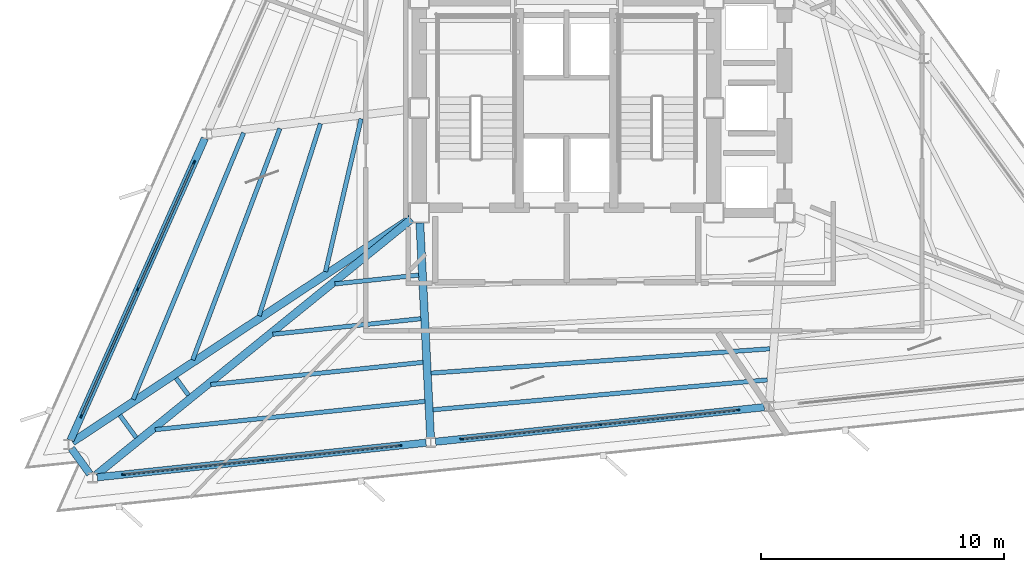
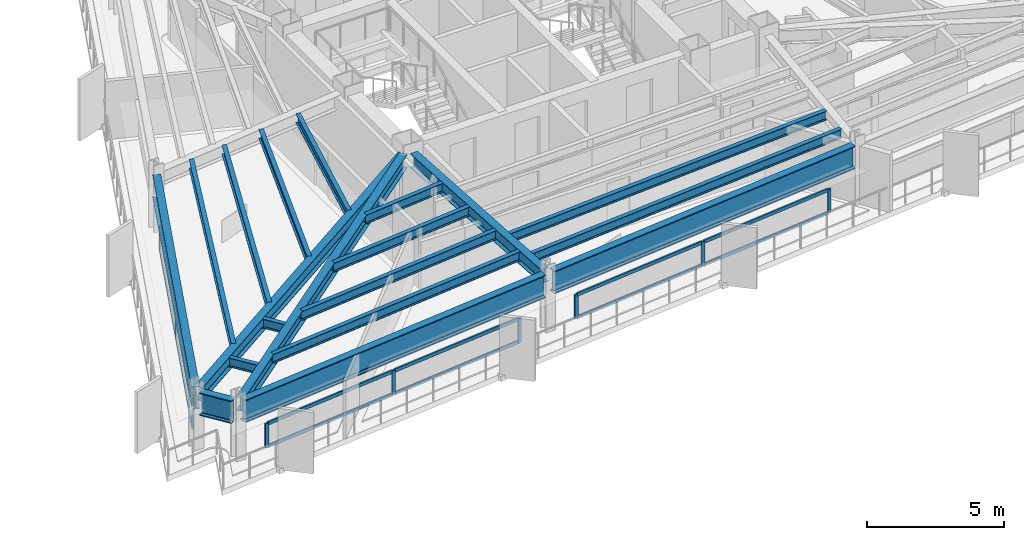
# One storey, part 2 of 13: 21 members, 19 beams, 3 elements without a shape of their own.
"""IFC4 building model written with IfcOpenShell, lengths in metres."""

import ifcopenshell
import ifcopenshell.guid

model = None  # the IFC model being written
_history = None  # IfcOwnerHistory: only IFC2X3 demands one
_inside = {}  # id of a spatial element -> (the spatial element, [elements in it])
_under = {}  # id of a project, library or spatial element -> (it, [spatial elements below it])
_declared = {}  # id of a project -> (the project, [libraries it declares])
_typed = {}  # id of a type object -> (the type object, [elements of that type])
_made_of = {}  # id of a material, layer set ... -> (it, [elements and type objects made of it])


def new_model(schema):
    """Start an empty IFC model of exactly this schema.

    Asked for "IFC4X3", IfcOpenShell would pick the latest addendum, in which some entities
    have other attributes; the version numbers below select the first issue.
    IFC2X3 requires an IfcOwnerHistory on every rooted entity: one is made here for all.
    """
    global model, _history
    if schema == "IFC4X3":
        model = ifcopenshell.file(schema_version=(4, 3, 0, 0))
    else:
        model = ifcopenshell.file(schema=schema)
    _inside.clear()
    _under.clear()
    _declared.clear()
    _typed.clear()
    _made_of.clear()
    _history = None
    if model.schema == "IFC2X3":
        org = make("IfcOrganization", Name="unknown")
        user = make(
            "IfcPersonAndOrganization",
            ThePerson=make("IfcPerson", FamilyName="unknown"),
            TheOrganization=org,
        )
        app = make(
            "IfcApplication",
            ApplicationDeveloper=org,
            Version="unknown",
            ApplicationFullName="unknown",
            ApplicationIdentifier="unknown",
        )
        _history = make(
            "IfcOwnerHistory",
            OwningUser=user,
            OwningApplication=app,
            ChangeAction="ADDED",
            CreationDate=0,
        )
    return model


def make(cls, **values):
    """One entity of the class cls with the attributes given. An attribute that is None is left unset."""
    return model.create_entity(
        cls, **{name: value for name, value in values.items() if value is not None}
    )


def rooted(cls, **values):
    """An entity with a GlobalId (a new one), such as an element, a storey or a relation."""
    return make(cls, GlobalId=ifcopenshell.guid.new(), OwnerHistory=_history, **values)


def si_unit(unit_type, name, prefix=None):
    """IfcSIUnit, for example si_unit("LENGTHUNIT", "METRE", prefix="MILLI")."""
    return make("IfcSIUnit", UnitType=unit_type, Prefix=prefix, Name=name)


def assignment(units):
    """IfcUnitAssignment: the units of a project."""
    return None if units is None else make("IfcUnitAssignment", Units=units)


def point(xyz):
    """IfcCartesianPoint."""
    return None if xyz is None else make("IfcCartesianPoint", Coordinates=xyz)


def direction(xyz):
    """IfcDirection."""
    return None if xyz is None else make("IfcDirection", DirectionRatios=xyz)


def frame(location, z_axis=None, x_axis=None):
    """IfcAxis2Placement3D, a coordinate frame: its origin and axes. An axis left out is left unset."""
    return make(
        "IfcAxis2Placement3D",
        Location=point(location),
        Axis=direction(z_axis),
        RefDirection=direction(x_axis),
    )


def frame_2d(location, x_axis=None):
    """IfcAxis2Placement2D, a coordinate frame in the plane: its origin and x axis."""
    return make(
        "IfcAxis2Placement2D", Location=point(location), RefDirection=direction(x_axis)
    )


def origin():
    """The frame at (0, 0, 0) with its axes left unset."""
    return frame((0.0, 0.0, 0.0))


def origin_2d():
    """The frame at (0, 0) in the plane with its x axis left unset."""
    return frame_2d((0.0, 0.0))


def place(relative_to, where):
    """IfcLocalPlacement: puts the frame where relative to a parent placement (None: the world)."""
    return make(
        "IfcLocalPlacement", PlacementRelTo=relative_to, RelativePlacement=where
    )


def context(
    kind, dimensions, precision=None, world=None, true_north=None, identifier=None
):
    """IfcGeometricRepresentationContext, for example the 3D "Model" context."""
    return make(
        "IfcGeometricRepresentationContext",
        ContextIdentifier=identifier,
        ContextType=kind,
        CoordinateSpaceDimension=dimensions,
        Precision=precision,
        WorldCoordinateSystem=world,
        TrueNorth=true_north,
    )


def subcontext(parent, identifier, kind, view, scale=None):
    """IfcGeometricRepresentationSubContext, for example "Body" below "Model"."""
    return make(
        "IfcGeometricRepresentationSubContext",
        ContextIdentifier=identifier,
        ContextType=kind,
        ParentContext=parent,
        TargetScale=scale,
        TargetView=view,
    )


def project(units=None, contexts=None):
    """IfcProject with its units and contexts."""
    return rooted(
        "IfcProject",
        Name="project",
        RepresentationContexts=contexts,
        UnitsInContext=assignment(units),
    )


def spatial(cls, under=None, at=None, **own):
    """A site, building, storey or space (cls), placed at a placement, below another one or the project."""
    s = rooted(cls, ObjectPlacement=at, **own)
    if under is not None:
        _under.setdefault(under.id(), (under, []))[1].append(s)
    return s


def profile(cls, at=None, kind="AREA", **sizes):
    """A parametric profile (cls). Its sizes go by their IFC names, for example OverallWidth=200.0."""
    return make(cls, ProfileType=kind, Position=at, **sizes)


def rectangle(**sizes):
    """IfcRectangleProfileDef."""
    return profile("IfcRectangleProfileDef", **sizes)


def i_section(**sizes):
    """IfcIShapeProfileDef."""
    return profile("IfcIShapeProfileDef", **sizes)


def extrude(swept, where, along, depth):
    """IfcExtrudedAreaSolid: the profile swept, set in the frame where, extruded along a direction by depth."""
    return make(
        "IfcExtrudedAreaSolid",
        SweptArea=swept,
        Position=where,
        ExtrudedDirection=direction(along),
        Depth=depth,
    )


def shape(context_of_items, identifier, shape_type, items):
    """IfcShapeRepresentation: the items that make up one representation, for example the "Body"."""
    return make(
        "IfcShapeRepresentation",
        ContextOfItems=context_of_items,
        RepresentationIdentifier=identifier,
        RepresentationType=shape_type,
        Items=items,
    )


def material(Name=None, Category=None):
    """IfcMaterial."""
    return make("IfcMaterial", Name=Name, Category=Category)


def layer(
    of_material, thickness, ventilated=None, Name=None, Category=None, Priority=None
):
    """IfcMaterialLayer: one layer of a wall or slab, of a material (None: an air gap)."""
    return make(
        "IfcMaterialLayer",
        Material=of_material,
        LayerThickness=thickness,
        IsVentilated=ventilated,
        Name=Name,
        Category=Category,
        Priority=Priority,
    )


def layer_set(layers, Name=None):
    """IfcMaterialLayerSet."""
    return make("IfcMaterialLayerSet", MaterialLayers=layers, LayerSetName=Name)


def material_profile(
    of_material, cross_section, Name=None, Category=None, Priority=None
):
    """IfcMaterialProfile: a cross section and its material."""
    return make(
        "IfcMaterialProfile",
        Name=Name,
        Material=of_material,
        Profile=cross_section,
        Priority=Priority,
        Category=Category,
    )


def profile_set(profiles, Name=None, composite=None):
    """IfcMaterialProfileSet."""
    return make(
        "IfcMaterialProfileSet",
        Name=Name,
        MaterialProfiles=profiles,
        CompositeProfile=composite,
    )


def made_of(thing, what):
    """Note that an element or type object is made of a material, layer set ...; save() writes the relation."""
    if what is not None:
        _made_of.setdefault(what.id(), (what, []))[1].append(thing)
    return thing


def type_object(cls, material=None, **own):
    """A type object (cls), such as IfcWallType, which elements share."""
    return made_of(rooted(cls, **own), material)


def element(
    cls,
    number,
    at=None,
    inside=None,
    cuts=None,
    type_object=None,
    material=None,
    context=None,
    identifier="Body",
    shape_type=None,
    held_by="IfcProductDefinitionShape",
    body=None,
    shapes=None,
    **own,
):
    """One element of the class cls, such as IfcWall. Its Tag is "e" and its number.

    at: its placement. inside: the storey or other place that contains it. cuts: it is an
    opening in that element (IfcRelVoidsElement). A single representation is given by context,
    identifier, shape_type and body (its items); several are given by shapes. held_by: the class
    of the entity that holds the representations. save() writes the other relations.
    """
    e = rooted(cls, Tag="e%d" % number, ObjectPlacement=at, **own)
    if body is not None:
        shapes = [shape(context, identifier, shape_type, body)]
    if shapes is not None:
        e.Representation = make(held_by, Representations=shapes)
    if inside is not None:
        _inside.setdefault(inside.id(), (inside, []))[1].append(e)
    if cuts is not None:
        rooted(
            "IfcRelVoidsElement", RelatingBuildingElement=cuts, RelatedOpeningElement=e
        )
    if type_object is not None:
        _typed.setdefault(type_object.id(), (type_object, []))[1].append(e)
    return made_of(e, material)


def aggregate(whole, parts):
    """IfcRelAggregates: a whole, such as a stair, and the parts it consists of."""
    return rooted("IfcRelAggregates", RelatingObject=whole, RelatedObjects=parts)


def save(model, path):
    """Write the relations noted so far, then the file.

    IfcRelAggregates (storeys below a building ...), IfcRelContainedInSpatialStructure (elements
    in a storey), IfcRelDefinesByType, IfcRelAssociatesMaterial and IfcRelDeclares: one each for
    every whole, place, type object, material and project.
    """
    for whole, parts in _under.values():
        aggregate(whole, parts)
    for where, things in _inside.values():
        rooted(
            "IfcRelContainedInSpatialStructure",
            RelatedElements=things,
            RelatingStructure=where,
        )
    for kind, things in _typed.values():
        rooted("IfcRelDefinesByType", RelatedObjects=things, RelatingType=kind)
    for what, things in _made_of.values():
        rooted("IfcRelAssociatesMaterial", RelatedObjects=things, RelatingMaterial=what)
    for by, libraries in _declared.values():
        rooted("IfcRelDeclares", RelatingContext=by, RelatedDefinitions=libraries)
    model.write(path)


model = new_model("IFC4")

# Units and contexts
model_context = context("Model", 3, precision=1e-05, world=origin(), true_north=direction((0.0, 1.0)))
body_context = subcontext(model_context, "Body", "Model", "MODEL_VIEW")
ifc_project = project(units=[si_unit("LENGTHUNIT", "METRE"), si_unit("AREAUNIT", "SQUARE_METRE"), si_unit("VOLUMEUNIT", "CUBIC_METRE"), si_unit("PLANEANGLEUNIT", "RADIAN"), si_unit("MASSUNIT", "GRAM", prefix="KILO")], contexts=[model_context])

# Site, building, storey
site_placement = place(None, origin())
site = spatial("IfcSite", under=ifc_project, at=site_placement, CompositionType="ELEMENT")
building_placement = place(site_placement, origin())
building = spatial("IfcBuilding", under=site, at=building_placement, Name="Rocaltana Carrier Exchange", CompositionType="ELEMENT")
storey_placement = place(building_placement, frame((0.0, 0.0, 122.8798828125)))
storey = spatial("IfcBuildingStorey", under=building, at=storey_placement, Name="L38", CompositionType="ELEMENT", Elevation=122.8798828125)

# Curtain wall, members
ifc_material_1 = material(Name="Aluminium 6063-T6", Category="aluminium")
ifc_layer = layer(ifc_material_1, 0.14990234375)
ifc_layer_set = layer_set([ifc_layer], Name="Aluminium 6063-T6")
curtain_wall_type = type_object("IfcCurtainWallType", Name="Mid-Tower Unitised Curtain Wall CW-03", PredefinedType="NOTDEFINED", material=ifc_layer_set)
curtain_wall_1_placement = place(storey_placement, origin())
curtain_wall_1 = element("IfcCurtainWall", 1, at=curtain_wall_1_placement, inside=storey, type_object=curtain_wall_type, Name="L38 CW-03 Run CW-L38-F2S3", PredefinedType="NOTDEFINED")
ifc_material_2 = material(Name="Aluminium 6063-T6", Category="aluminium")
ifc_material_profile_1 = material_profile(ifc_material_2, rectangle(XDim=0.06005859375, YDim=0.14990234375, at=origin_2d()), Name="AL-60X150")
ifc_profile_set_1 = profile_set([ifc_material_profile_1], Name="Aluminium 6063-T6")
member_type_1 = type_object("IfcMemberType", Name="CW-03 Mullion AL-60X150", PredefinedType="MULLION", material=ifc_profile_set_1)
member_1_placement = place(storey_placement, frame((-15.299560546875, -2.2333984375, 0.0), z_axis=(0.0, 0.0, 1.0), x_axis=(0.913547031517, -0.406733108077, 0.0)))
member_1 = element("IfcMember", 2, at=member_1_placement, type_object=member_type_1, Name="CW-03 mullion 1", PredefinedType="MULLION", context=body_context, shape_type="SweptSolid", body=[
    extrude(rectangle(XDim=0.06005859375, YDim=0.14990234375, at=origin_2d()), origin(), (0.0, 0.0, 1.0), 1.078125),
])
member_2_placement = place(storey_placement, frame((-17.619140625, -7.44384765625, 0.0), z_axis=(0.0, 0.0, 1.0), x_axis=(0.913547031517, -0.406733108077, 0.0)))
member_2 = element("IfcMember", 3, at=member_2_placement, type_object=member_type_1, Name="CW-03 mullion 2", PredefinedType="MULLION", context=body_context, shape_type="SweptSolid", body=[
    extrude(rectangle(XDim=0.06005859375, YDim=0.14990234375, at=origin_2d()), origin(), (0.0, 0.0, 1.0), 1.078125),
])
member_3_placement = place(storey_placement, frame((-19.93896484375, -12.654052734375, 0.0), z_axis=(0.0, 0.0, 1.0), x_axis=(0.913547031517, -0.406733108077, 0.0)))
member_3 = element("IfcMember", 4, at=member_3_placement, type_object=member_type_1, Name="CW-03 mullion 3", PredefinedType="MULLION", context=body_context, shape_type="SweptSolid", body=[
    extrude(rectangle(XDim=0.06005859375, YDim=0.14990234375, at=origin_2d()), origin(), (0.0, 0.0, 1.0), 1.078125),
])

curtain_wall_2_placement = place(storey_placement, origin())
curtain_wall_2 = element("IfcCurtainWall", 5, at=curtain_wall_2_placement, inside=storey, type_object=curtain_wall_type, Name="L38 CW-03 Run CW-L38-F3S1", PredefinedType="NOTDEFINED")
member_4_placement = place(storey_placement, frame((-18.196044921875, -15.052734375, 0.0), z_axis=(0.0, 0.0, 1.0), x_axis=(-0.104521806959, 0.994522594952, 0.0)))
member_4 = element("IfcMember", 6, at=member_4_placement, type_object=member_type_1, Name="CW-03 mullion 1", PredefinedType="MULLION", context=body_context, shape_type="SweptSolid", body=[
    extrude(rectangle(XDim=0.06005859375, YDim=0.14990234375, at=origin_2d()), origin(), (0.0, 0.0, 1.0), 1.078125),
])
member_5_placement = place(storey_placement, frame((-12.524169921875, -14.45654296875, 0.0), z_axis=(0.0, 0.0, 1.0), x_axis=(-0.104521806959, 0.994522594952, 0.0)))
member_5 = element("IfcMember", 7, at=member_5_placement, type_object=member_type_1, Name="CW-03 mullion 2", PredefinedType="MULLION", context=body_context, shape_type="SweptSolid", body=[
    extrude(rectangle(XDim=0.06005859375, YDim=0.14990234375, at=origin_2d()), origin(), (0.0, 0.0, 1.0), 1.078125),
])
member_6_placement = place(storey_placement, frame((-6.85205078125, -13.860595703125, 0.0), z_axis=(0.0, 0.0, 1.0), x_axis=(-0.104521806959, 0.994522594952, 0.0)))
member_6 = element("IfcMember", 8, at=member_6_placement, type_object=member_type_1, Name="CW-03 mullion 3", PredefinedType="MULLION", context=body_context, shape_type="SweptSolid", body=[
    extrude(rectangle(XDim=0.06005859375, YDim=0.14990234375, at=origin_2d()), origin(), (0.0, 0.0, 1.0), 1.078125),
])

curtain_wall_3_placement = place(storey_placement, origin())
curtain_wall_3 = element("IfcCurtainWall", 9, at=curtain_wall_3_placement, inside=storey, type_object=curtain_wall_type, Name="L38 CW-03 Run CW-L38-F3S2", PredefinedType="NOTDEFINED")
member_7_placement = place(storey_placement, frame((-4.30615234375, -13.5927734375, 0.0), z_axis=(0.0, 0.0, 1.0), x_axis=(-0.104529526113, 0.994521783658, 0.0)))
member_7 = element("IfcMember", 10, at=member_7_placement, type_object=member_type_1, Name="CW-03 mullion 1", PredefinedType="MULLION", context=body_context, shape_type="SweptSolid", body=[
    extrude(rectangle(XDim=0.06005859375, YDim=0.14990234375, at=origin_2d()), origin(), (0.0, 0.0, 1.0), 1.078125),
])
member_8_placement = place(storey_placement, frame((1.365966796875, -12.99658203125, 0.0), z_axis=(0.0, 0.0, 1.0), x_axis=(-0.104529526113, 0.994521783658, 0.0)))
member_8 = element("IfcMember", 11, at=member_8_placement, type_object=member_type_1, Name="CW-03 mullion 2", PredefinedType="MULLION", context=body_context, shape_type="SweptSolid", body=[
    extrude(rectangle(XDim=0.06005859375, YDim=0.14990234375, at=origin_2d()), origin(), (0.0, 0.0, 1.0), 1.078125),
])
member_9_placement = place(storey_placement, frame((7.0380859375, -12.400634765625, 0.0), z_axis=(0.0, 0.0, 1.0), x_axis=(-0.104529526113, 0.994521783658, 0.0)))
member_9 = element("IfcMember", 12, at=member_9_placement, type_object=member_type_1, Name="CW-03 mullion 3", PredefinedType="MULLION", context=body_context, shape_type="SweptSolid", body=[
    extrude(rectangle(XDim=0.06005859375, YDim=0.14990234375, at=origin_2d()), origin(), (0.0, 0.0, 1.0), 1.078125),
])

# Member
ifc_material_3 = material(Name="Aluminium 6063-T6", Category="aluminium")
ifc_material_profile_2 = material_profile(ifc_material_3, rectangle(XDim=0.06005859375, YDim=0.14990234375, at=origin_2d()), Name="AL-60X150")
ifc_profile_set_2 = profile_set([ifc_material_profile_2], Name="Aluminium 6063-T6")
member_type_2 = type_object("IfcMemberType", Name="CW-03 Transom AL-60X150", PredefinedType="USERDEFINED", material=ifc_profile_set_2)
member_10_placement = place(storey_placement, frame((-15.311767578125, -2.260986328125, 0.030029296875), z_axis=(-0.406704359788, -0.913559830405, 0.0), x_axis=(0.913559830405, -0.406704359788, 0.0)))
member_10 = element("IfcMember", 13, at=member_10_placement, type_object=member_type_2, Name="CW-03 transom 1.1", ObjectType="TRANSOM", PredefinedType="USERDEFINED", context=body_context, shape_type="SweptSolid", body=[
    extrude(rectangle(XDim=0.06005859375, YDim=0.14990234375, at=origin_2d()), origin(), (0.0, 0.0, 1.0), 5.643310546875),
])

member_11_placement = place(storey_placement, frame((-15.311767578125, -2.260986328125, 1.048095703125), z_axis=(-0.406704359788, -0.913559830405, 0.0), x_axis=(0.913559830405, -0.406704359788, 0.0)))
member_11 = element("IfcMember", 14, at=member_11_placement, type_object=member_type_2, Name="CW-03 transom 1.2", ObjectType="TRANSOM", PredefinedType="USERDEFINED", context=body_context, shape_type="SweptSolid", body=[
    extrude(rectangle(XDim=0.06005859375, YDim=0.14990234375, at=origin_2d()), origin(), (0.0, 0.0, 1.0), 5.643310546875),
])

member_12_placement = place(storey_placement, frame((-17.63134765625, -7.47119140625, 0.030029296875), z_axis=(-0.406740464784, -0.913543756099, 0.0), x_axis=(0.913543756099, -0.406740464784, 0.0)))
member_12 = element("IfcMember", 15, at=member_12_placement, type_object=member_type_2, Name="CW-03 transom 2.1", ObjectType="TRANSOM", PredefinedType="USERDEFINED", context=body_context, shape_type="SweptSolid", body=[
    extrude(rectangle(XDim=0.06005859375, YDim=0.14990234375, at=origin_2d()), origin(), (0.0, 0.0, 1.0), 5.643310546875),
])

member_13_placement = place(storey_placement, frame((-17.63134765625, -7.47119140625, 1.048095703125), z_axis=(-0.406740464784, -0.913543756099, 0.0), x_axis=(0.913543756099, -0.406740464784, 0.0)))
member_13 = element("IfcMember", 16, at=member_13_placement, type_object=member_type_2, Name="CW-03 transom 2.2", ObjectType="TRANSOM", PredefinedType="USERDEFINED", context=body_context, shape_type="SweptSolid", body=[
    extrude(rectangle(XDim=0.06005859375, YDim=0.14990234375, at=origin_2d()), origin(), (0.0, 0.0, 1.0), 5.643310546875),
])

aggregate(curtain_wall_1, [member_1, member_2, member_3, member_10, member_11, member_12, member_13])

member_14_placement = place(storey_placement, frame((-18.166259765625, -15.049560546875, 0.030029296875), z_axis=(0.99452250772, 0.104522636969, 0.0), x_axis=(-0.104522636969, 0.99452250772, 0.0)))
member_14 = element("IfcMember", 17, at=member_14_placement, type_object=member_type_2, Name="CW-03 transom 1.1", ObjectType="TRANSOM", PredefinedType="USERDEFINED", context=body_context, shape_type="SweptSolid", body=[
    extrude(rectangle(XDim=0.06005859375, YDim=0.14990234375, at=origin_2d()), origin(), (0.0, 0.0, 1.0), 5.643310546875),
])

member_15_placement = place(storey_placement, frame((-18.166259765625, -15.049560546875, 1.048095703125), z_axis=(0.99452250772, 0.104522636969, 0.0), x_axis=(-0.104522636969, 0.99452250772, 0.0)))
member_15 = element("IfcMember", 18, at=member_15_placement, type_object=member_type_2, Name="CW-03 transom 1.2", ObjectType="TRANSOM", PredefinedType="USERDEFINED", context=body_context, shape_type="SweptSolid", body=[
    extrude(rectangle(XDim=0.06005859375, YDim=0.14990234375, at=origin_2d()), origin(), (0.0, 0.0, 1.0), 5.643310546875),
])

member_16_placement = place(storey_placement, frame((-12.494384765625, -14.45361328125, 0.030029296875), z_axis=(0.99452250772, 0.104522636969, 0.0), x_axis=(-0.104522636969, 0.99452250772, 0.0)))
member_16 = element("IfcMember", 19, at=member_16_placement, type_object=member_type_2, Name="CW-03 transom 2.1", ObjectType="TRANSOM", PredefinedType="USERDEFINED", context=body_context, shape_type="SweptSolid", body=[
    extrude(rectangle(XDim=0.06005859375, YDim=0.14990234375, at=origin_2d()), origin(), (0.0, 0.0, 1.0), 5.643310546875),
])

member_17_placement = place(storey_placement, frame((-12.494384765625, -14.45361328125, 1.048095703125), z_axis=(0.99452250772, 0.104522636969, 0.0), x_axis=(-0.104522636969, 0.99452250772, 0.0)))
member_17 = element("IfcMember", 20, at=member_17_placement, type_object=member_type_2, Name="CW-03 transom 2.2", ObjectType="TRANSOM", PredefinedType="USERDEFINED", context=body_context, shape_type="SweptSolid", body=[
    extrude(rectangle(XDim=0.06005859375, YDim=0.14990234375, at=origin_2d()), origin(), (0.0, 0.0, 1.0), 5.643310546875),
])

aggregate(curtain_wall_2, [member_4, member_5, member_6, member_14, member_15, member_16, member_17])

member_18_placement = place(storey_placement, frame((-4.276123046875, -13.58984375, 0.030029296875), z_axis=(0.994518009659, 0.104565426716, 0.0), x_axis=(-0.104565426716, 0.994518009659, 0.0)))
member_18 = element("IfcMember", 21, at=member_18_placement, type_object=member_type_2, Name="CW-03 transom 1.1", ObjectType="TRANSOM", PredefinedType="USERDEFINED", context=body_context, shape_type="SweptSolid", body=[
    extrude(rectangle(XDim=0.06005859375, YDim=0.14990234375, at=origin_2d()), origin(), (0.0, 0.0, 1.0), 5.643310546875),
])

member_19_placement = place(storey_placement, frame((-4.276123046875, -13.58984375, 1.048095703125), z_axis=(0.994518009659, 0.104565426716, 0.0), x_axis=(-0.104565426716, 0.994518009659, 0.0)))
member_19 = element("IfcMember", 22, at=member_19_placement, type_object=member_type_2, Name="CW-03 transom 1.2", ObjectType="TRANSOM", PredefinedType="USERDEFINED", context=body_context, shape_type="SweptSolid", body=[
    extrude(rectangle(XDim=0.06005859375, YDim=0.14990234375, at=origin_2d()), origin(), (0.0, 0.0, 1.0), 5.643310546875),
])

member_20_placement = place(storey_placement, frame((1.395751953125, -12.99365234375, 0.030029296875), z_axis=(0.994518482657, 0.104560927947, 0.0), x_axis=(-0.104560927947, 0.994518482657, 0.0)))
member_20 = element("IfcMember", 23, at=member_20_placement, type_object=member_type_2, Name="CW-03 transom 2.1", ObjectType="TRANSOM", PredefinedType="USERDEFINED", context=body_context, shape_type="SweptSolid", body=[
    extrude(rectangle(XDim=0.06005859375, YDim=0.14990234375, at=origin_2d()), origin(), (0.0, 0.0, 1.0), 5.6435546875),
])

member_21_placement = place(storey_placement, frame((1.395751953125, -12.99365234375, 1.048095703125), z_axis=(0.994518482657, 0.104560927947, 0.0), x_axis=(-0.104560927947, 0.994518482657, 0.0)))
member_21 = element("IfcMember", 24, at=member_21_placement, type_object=member_type_2, Name="CW-03 transom 2.2", ObjectType="TRANSOM", PredefinedType="USERDEFINED", context=body_context, shape_type="SweptSolid", body=[
    extrude(rectangle(XDim=0.06005859375, YDim=0.14990234375, at=origin_2d()), origin(), (0.0, 0.0, 1.0), 5.6435546875),
])

aggregate(curtain_wall_3, [member_7, member_8, member_9, member_18, member_19, member_20, member_21])

# Beams
ifc_material_4 = material(Name="Steel S355", Category="steel")
ifc_material_profile_3 = material_profile(ifc_material_4, i_section(OverallWidth=0.179931640625, OverallDepth=0.4130859375, WebThickness=0.009765625, FlangeThickness=0.01611328125, FilletRadius=0.012939453125, at=origin_2d()), Name="W16X50")
ifc_profile_set_3 = profile_set([ifc_material_profile_3], Name="Steel S355")
beam_type_1 = type_object("IfcBeamType", Name="Floor Joist W16X50", PredefinedType="JOIST", material=ifc_profile_set_3)
beam_1_placement = place(storey_placement, frame((-8.442138671875, -0.439208984375, 2.41162109375), z_axis=(-0.22689687838, -0.973918788494, 0.0), x_axis=(0.973918788494, -0.22689687838, 0.0)))
element("IfcBeam", 25, at=beam_1_placement, inside=storey, type_object=beam_type_1, Name="FJ-L38-07-1", PredefinedType="JOIST", context=body_context, shape_type="SweptSolid", body=[
    extrude(i_section(OverallWidth=0.179931640625, OverallDepth=0.4130859375, WebThickness=0.009765625, FlangeThickness=0.01611328125, FilletRadius=0.012939453125, at=origin_2d()), origin(), (0.0, 0.0, 1.0), 6.448486328125),
])
beam_2_placement = place(storey_placement, frame((-10.11279296875, -0.63818359375, 2.41162109375), z_axis=(-0.303932068728, -0.952693706077, 0.0), x_axis=(0.952693706077, -0.303932068728, 0.0)))
element("IfcBeam", 26, at=beam_2_placement, inside=storey, type_object=beam_type_1, Name="FJ-L38-07-2", PredefinedType="JOIST", context=body_context, shape_type="SweptSolid", body=[
    extrude(i_section(OverallWidth=0.179931640625, OverallDepth=0.4130859375, WebThickness=0.009765625, FlangeThickness=0.01611328125, FilletRadius=0.012939453125, at=origin_2d()), origin(), (0.0, 0.0, 1.0), 8.285888671875),
])
beam_3_placement = place(storey_placement, frame((-11.77880859375, -0.837646484375, 2.41162109375), z_axis=(-0.352616248734, -0.935768016727, 0.0), x_axis=(0.935768016727, -0.352616248734, 0.0)))
element("IfcBeam", 27, at=beam_3_placement, inside=storey, type_object=beam_type_1, Name="FJ-L38-07-3", PredefinedType="JOIST", context=body_context, shape_type="SweptSolid", body=[
    extrude(i_section(OverallWidth=0.179931640625, OverallDepth=0.4130859375, WebThickness=0.009765625, FlangeThickness=0.01611328125, FilletRadius=0.012939453125, at=origin_2d()), origin(), (0.0, 0.0, 1.0), 10.1591796875),
])
beam_4_placement = place(storey_placement, frame((-13.267333984375, -1.016845703125, 2.41162109375), z_axis=(-0.382964861888, -0.923762910361, 0.0), x_axis=(0.923762910361, -0.382964861888, 0.0)))
element("IfcBeam", 28, at=beam_4_placement, inside=storey, type_object=beam_type_1, Name="FJ-L38-07-4", PredefinedType="JOIST", context=body_context, shape_type="SweptSolid", body=[
    extrude(i_section(OverallWidth=0.179931640625, OverallDepth=0.4130859375, WebThickness=0.009765625, FlangeThickness=0.01611328125, FilletRadius=0.012939453125, at=origin_2d()), origin(), (0.0, 0.0, 1.0), 11.851806640625),
])
beam_5_placement = place(storey_placement, frame((-16.044921875, -11.092529296875, 2.41162109375), z_axis=(0.587636081789, -0.80912535208, 0.0), x_axis=(0.80912535208, 0.587636081789, 0.0)))
element("IfcBeam", 29, at=beam_5_placement, inside=storey, type_object=beam_type_1, Name="FJ-L38-08-3", PredefinedType="JOIST", context=body_context, shape_type="SweptSolid", body=[
    extrude(i_section(OverallWidth=0.179931640625, OverallDepth=0.4130859375, WebThickness=0.009765625, FlangeThickness=0.01611328125, FilletRadius=0.012939453125, at=origin_2d()), origin(), (0.0, 0.0, 1.0), 0.867431640625),
])
beam_6_placement = place(storey_placement, frame((-18.3505859375, -12.6162109375, 2.41162109375), z_axis=(0.587737652756, -0.809051575323, 0.0), x_axis=(0.809051575323, 0.587737652756, 0.0)))
element("IfcBeam", 30, at=beam_6_placement, inside=storey, type_object=beam_type_1, Name="FJ-L38-08-4", PredefinedType="JOIST", context=body_context, shape_type="SweptSolid", body=[
    extrude(i_section(OverallWidth=0.179931640625, OverallDepth=0.4130859375, WebThickness=0.009765625, FlangeThickness=0.01611328125, FilletRadius=0.012939453125, at=origin_2d()), origin(), (0.0, 0.0, 1.0), 1.137451171875),
])
beam_7_placement = place(storey_placement, frame((-9.51806640625, -7.22314453125, 2.41162109375), z_axis=(0.994522069836, 0.104526803309, 0.0), x_axis=(-0.104526803309, 0.994522069836, 0.0)))
element("IfcBeam", 31, at=beam_7_placement, inside=storey, type_object=beam_type_1, Name="FJ-L38-09-1", PredefinedType="JOIST", context=body_context, shape_type="SweptSolid", body=[
    extrude(i_section(OverallWidth=0.179931640625, OverallDepth=0.4130859375, WebThickness=0.009765625, FlangeThickness=0.01611328125, FilletRadius=0.012939453125, at=origin_2d()), origin(), (0.0, 0.0, 1.0), 3.459228515625),
])
beam_8_placement = place(storey_placement, frame((-12.067626953125, -9.29150390625, 2.41162109375), z_axis=(0.994522291709, 0.104524692265, 0.0), x_axis=(-0.104524692265, 0.994522291709, 0.0)))
element("IfcBeam", 32, at=beam_8_placement, inside=storey, type_object=beam_type_1, Name="FJ-L38-09-2", PredefinedType="JOIST", context=body_context, shape_type="SweptSolid", body=[
    extrude(i_section(OverallWidth=0.179931640625, OverallDepth=0.4130859375, WebThickness=0.009765625, FlangeThickness=0.01611328125, FilletRadius=0.012939453125, at=origin_2d()), origin(), (0.0, 0.0, 1.0), 6.112548828125),
])
beam_9_placement = place(storey_placement, frame((-14.6171875, -11.360107421875, 2.41162109375), z_axis=(0.994519483766, 0.104551405586, 0.0), x_axis=(-0.104551405586, 0.994519483766, 0.0)))
element("IfcBeam", 33, at=beam_9_placement, inside=storey, type_object=beam_type_1, Name="FJ-L38-09-3", PredefinedType="JOIST", context=body_context, shape_type="SweptSolid", body=[
    extrude(i_section(OverallWidth=0.179931640625, OverallDepth=0.4130859375, WebThickness=0.009765625, FlangeThickness=0.01611328125, FilletRadius=0.012939453125, at=origin_2d()), origin(), (0.0, 0.0, 1.0), 8.76611328125),
])
beam_10_placement = place(storey_placement, frame((-16.898681640625, -13.210693359375, 2.41162109375), z_axis=(0.994521531783, 0.104531922494, 0.0), x_axis=(-0.104531922494, 0.994521531783, 0.0)))
element("IfcBeam", 34, at=beam_10_placement, inside=storey, type_object=beam_type_1, Name="FJ-L38-09-4", PredefinedType="JOIST", context=body_context, shape_type="SweptSolid", body=[
    extrude(i_section(OverallWidth=0.179931640625, OverallDepth=0.4130859375, WebThickness=0.009765625, FlangeThickness=0.01611328125, FilletRadius=0.012939453125, at=origin_2d()), origin(), (0.0, 0.0, 1.0), 11.140625),
])
beam_11_placement = place(storey_placement, frame((-5.564697265625, -10.887451171875, 2.41162109375), z_axis=(0.99742902588, 0.071661274976, 0.0), x_axis=(-0.071661274976, 0.99742902588, 0.0)))
element("IfcBeam", 35, at=beam_11_placement, inside=storey, type_object=beam_type_1, Name="FJ-L38-10-3", PredefinedType="JOIST", context=body_context, shape_type="SweptSolid", body=[
    extrude(i_section(OverallWidth=0.179931640625, OverallDepth=0.4130859375, WebThickness=0.009765625, FlangeThickness=0.01611328125, FilletRadius=0.012939453125, at=origin_2d()), origin(), (0.0, 0.0, 1.0), 13.94775390625),
])
beam_12_placement = place(storey_placement, frame((-5.489501953125, -12.39306640625, 2.41162109375), z_axis=(0.996028205835, 0.089038268076, 0.0), x_axis=(-0.089038268076, 0.996028205835, 0.0)))
element("IfcBeam", 36, at=beam_12_placement, inside=storey, type_object=beam_type_1, Name="FJ-L38-10-4", PredefinedType="JOIST", context=body_context, shape_type="SweptSolid", body=[
    extrude(i_section(OverallWidth=0.179931640625, OverallDepth=0.4130859375, WebThickness=0.009765625, FlangeThickness=0.01611328125, FilletRadius=0.012939453125, at=origin_2d()), origin(), (0.0, 0.0, 1.0), 13.789306640625),
])
ifc_material_5 = material(Name="Steel S355", Category="steel")
ifc_material_profile_4 = material_profile(ifc_material_5, i_section(OverallWidth=0.323974609375, OverallDepth=0.611083984375, WebThickness=0.0126953125, FlangeThickness=0.01904296875, FilletRadius=0.01611328125, at=origin_2d()), Name="W24X104")
ifc_profile_set_4 = profile_set([ifc_material_profile_4], Name="Steel S355")
beam_type_2 = type_object("IfcBeamType", Name="Radial Girder W24X104", PredefinedType="BEAM", material=ifc_profile_set_4)
beam_13_placement = place(storey_placement, frame((-6.39794921875, -4.52978515625, 2.3125), z_axis=(-0.834257562718, -0.551374935093, 0.0), x_axis=(0.551374935093, -0.834257562718, 0.0)))
element("IfcBeam", 37, at=beam_13_placement, inside=storey, type_object=beam_type_2, Name="RG-L38-08", PredefinedType="BEAM", context=body_context, shape_type="SweptSolid", body=[
    extrude(i_section(OverallWidth=0.323974609375, OverallDepth=0.611083984375, WebThickness=0.0126953125, FlangeThickness=0.01904296875, FilletRadius=0.01611328125, at=origin_2d()), origin(), (0.0, 0.0, 1.0), 16.66015625),
])
beam_14_placement = place(storey_placement, frame((-6.373779296875, -4.562744140625, 2.3125), z_axis=(-0.776586459835, -0.630010690704, 0.0), x_axis=(0.630010690704, -0.776586459835, 0.0)))
element("IfcBeam", 38, at=beam_14_placement, inside=storey, type_object=beam_type_2, Name="RG-L38-09", PredefinedType="BEAM", context=body_context, shape_type="SweptSolid", body=[
    extrude(i_section(OverallWidth=0.323974609375, OverallDepth=0.611083984375, WebThickness=0.0126953125, FlangeThickness=0.01904296875, FilletRadius=0.01611328125, at=origin_2d()), origin(), (0.0, 0.0, 1.0), 16.66796875),
])
beam_15_placement = place(storey_placement, frame((-6.029296875, -4.716552734375, 2.3125), z_axis=(0.049898989205, -0.998754269516, 0.0), x_axis=(0.998754269516, 0.049898989205, 0.0)))
element("IfcBeam", 39, at=beam_15_placement, inside=storey, type_object=beam_type_2, Name="RG-L38-10", PredefinedType="BEAM", context=body_context, shape_type="SweptSolid", body=[
    extrude(i_section(OverallWidth=0.323974609375, OverallDepth=0.611083984375, WebThickness=0.0126953125, FlangeThickness=0.01904296875, FilletRadius=0.01611328125, at=origin_2d()), origin(), (0.0, 0.0, 1.0), 8.826416015625),
])
ifc_material_6 = material(Name="Steel S460", Category="steel")
ifc_material_profile_5 = material_profile(ifc_material_6, i_section(OverallWidth=0.302001953125, OverallDepth=1.008056640625, WebThickness=0.02099609375, FlangeThickness=0.0400390625, FilletRadius=0.030029296875, at=origin_2d()), Name="HEM1000")
ifc_profile_set_5 = profile_set([ifc_material_profile_5], Name="Steel S460")
beam_type_3 = type_object("IfcBeamType", Name="Transfer Ring Girder HEM1000", PredefinedType="USERDEFINED", material=ifc_profile_set_5)
beam_16_placement = place(storey_placement, frame((-14.858154296875, -1.2421875, 2.114013671875), z_axis=(-0.406737349921, -0.913545142935, 0.0), x_axis=(0.913545142935, -0.406737349921, 0.0)))
element("IfcBeam", 40, at=beam_16_placement, inside=storey, type_object=beam_type_3, Name="SP-L38-07", ObjectType="TRANSFER GIRDER", PredefinedType="USERDEFINED", context=body_context, shape_type="SweptSolid", body=[
    extrude(i_section(OverallWidth=0.302001953125, OverallDepth=1.008056640625, WebThickness=0.02099609375, FlangeThickness=0.0400390625, FilletRadius=0.030029296875, at=origin_2d()), origin(), (0.0, 0.0, 1.0), 13.576904296875),
])
beam_17_placement = place(storey_placement, frame((-20.344970703125, -13.981201171875, 2.114013671875), z_axis=(0.587835350747, -0.808980593347, 0.0), x_axis=(0.808980593347, 0.587835350747, 0.0)))
element("IfcBeam", 41, at=beam_17_placement, inside=storey, type_object=beam_type_3, Name="SP-L38-08", ObjectType="TRANSFER GIRDER", PredefinedType="USERDEFINED", context=body_context, shape_type="SweptSolid", body=[
    extrude(i_section(OverallWidth=0.302001953125, OverallDepth=1.008056640625, WebThickness=0.02099609375, FlangeThickness=0.0400390625, FilletRadius=0.030029296875, at=origin_2d()), origin(), (0.0, 0.0, 1.0), 1.294921875),
])
for number, where, z_axis, x_axis, name in (
    (42, (-19.275390625, -15.166259765625, 2.114013671875), (0.994521698777, 0.104530333689, 0.0), (-0.104530333689, 0.994521698777, 0.0), "SP-L38-09"),
    (43, (-5.38525390625, -13.706298828125, 2.114013671875), (0.994521698777, 0.104530333689, 0.0), (-0.104530333689, 0.994521698777, 0.0), "SP-L38-10"),
):
    element("IfcBeam", number, at=place(storey_placement, frame(where, z_axis=z_axis, x_axis=x_axis)), inside=storey, type_object=beam_type_3, Name=name, ObjectType="TRANSFER GIRDER", PredefinedType="USERDEFINED", context=body_context, shape_type="SweptSolid", body=[
        extrude(i_section(OverallWidth=0.302001953125, OverallDepth=1.008056640625, WebThickness=0.02099609375, FlangeThickness=0.0400390625, FilletRadius=0.030029296875, at=origin_2d()), origin(), (0.0, 0.0, 1.0), 13.576904296875),
    ])

save(model, "model.ifc")
